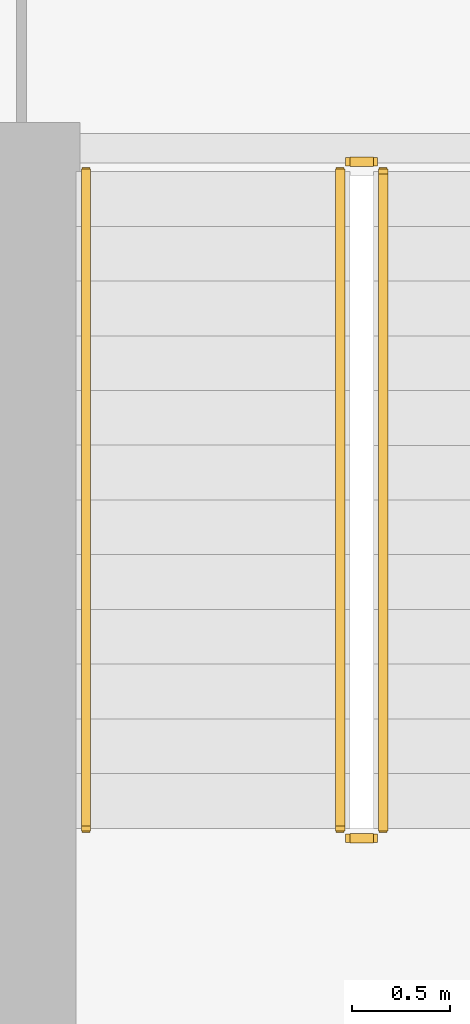
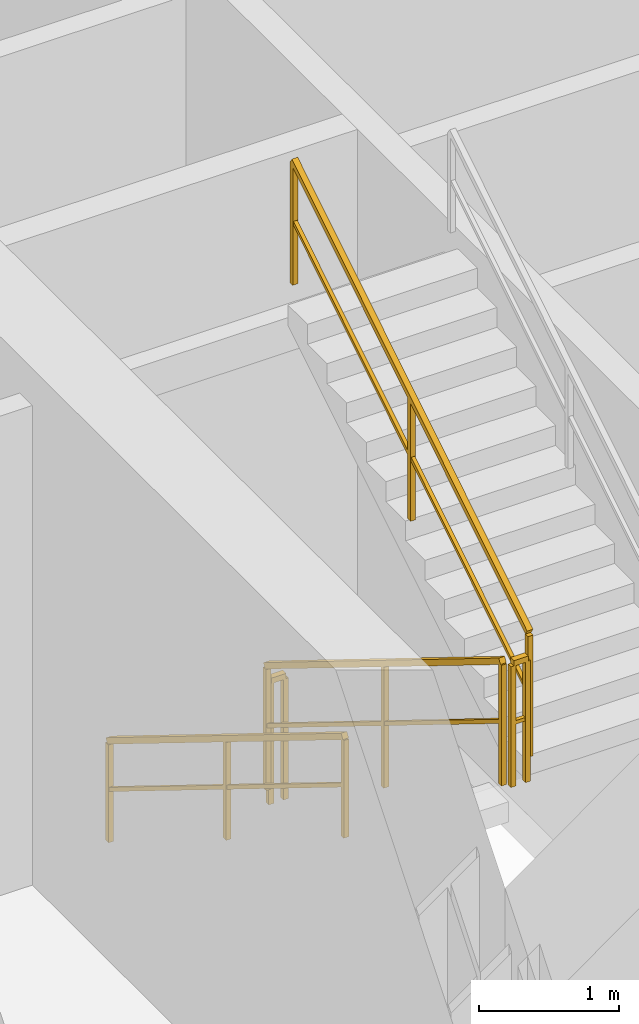
# One storey, part 10 of 13: 5 railings.
"""IFC4 building model written with IfcOpenShell, lengths in metres."""

from ifc_helpers import new_model, si_unit, direction, frame, origin, origin_2d, place, context, subcontext, project, spatial, rectangle, extrude, material, layer, layer_set, type_object, element, save


model = new_model("IFC4")

# Units and contexts
model_context = context("Model", 3, precision=1e-05, world=origin(), true_north=direction((0.0, 1.0)))
body_context = subcontext(model_context, "Body", "Model", "MODEL_VIEW")
ifc_project = project(units=[si_unit("LENGTHUNIT", "METRE"), si_unit("AREAUNIT", "SQUARE_METRE"), si_unit("VOLUMEUNIT", "CUBIC_METRE"), si_unit("PLANEANGLEUNIT", "RADIAN"), si_unit("MASSUNIT", "GRAM", prefix="KILO")], contexts=[model_context])

# Site, building, storey
site_placement = place(None, origin())
site = spatial("IfcSite", under=ifc_project, at=site_placement, CompositionType="ELEMENT")
building_placement = place(site_placement, origin())
building = spatial("IfcBuilding", under=site, at=building_placement, Name="Caelisora Broadcast Tower", CompositionType="ELEMENT")
storey_placement = place(building_placement, frame((0.0, 0.0, 10.199951171875)))
storey = spatial("IfcBuildingStorey", under=building, at=storey_placement, Name="L02", CompositionType="ELEMENT", Elevation=10.199951171875)

# Railings
ifc_material_1 = material(Name="Galvanised Steel Safety Guardrail", Category="steel")
ifc_layer_1 = layer(ifc_material_1, 0.048095703125, Name="Galvanised Steel Safety Guardrail")
ifc_layer_set_1 = layer_set([ifc_layer_1], Name="Galvanised Steel Safety Guardrail")
railing_type_1 = type_object("IfcRailingType", Name="GR-1", PredefinedType="GUARDRAIL", material=ifc_layer_set_1)
railing_1_placement = place(storey_placement, frame((32.169921875, 23.10009765625, 0.173095703125)))
element("IfcRailing", 1, at=railing_1_placement, inside=storey, type_object=railing_type_1, Name="L02 ST-1 stair guard 1", PredefinedType="GUARDRAIL", context=body_context, shape_type="SweptSolid", body=[
    extrude(rectangle(XDim=0.048095703125, YDim=0.048095703125, at=origin_2d()), frame((0.0, 0.0, 1.076171875), z_axis=(0.0, -0.850623216509, 0.525775754039), x_axis=(1.0, 0.0, 0.0)), (0.0, 0.0, 1.0), 3.9501953125),
    extrude(rectangle(XDim=0.03125, YDim=0.03125, at=origin_2d()), frame((0.0, 0.0, 0.550048828125), z_axis=(0.0, -0.850623216509, 0.525775754039), x_axis=(1.0, 0.0, 0.0)), (0.0, 0.0, 1.0), 3.9501953125),
    extrude(rectangle(XDim=0.0419921875, YDim=0.0419921875, at=origin_2d()), origin(), (0.0, 0.0, 1.0), 1.052001953125),
    extrude(rectangle(XDim=0.0419921875, YDim=0.0419921875, at=origin_2d()), frame((0.0, -1.68017578125, 1.03857421875)), (0.0, 0.0, 1.0), 1.052001953125),
    extrude(rectangle(XDim=0.0419921875, YDim=0.0419921875, at=origin_2d()), frame((0.0, -3.360107421875, 2.076904296875)), (0.0, 0.0, 1.0), 1.052001953125),
])
railing_2_placement = place(storey_placement, frame((32.219970703125, 19.68994140625, 2.25)))
element("IfcRailing", 2, at=railing_2_placement, inside=storey, type_object=railing_type_1, Name="L02 ST-1 stair guard 2", PredefinedType="GUARDRAIL", context=body_context, shape_type="SweptSolid", body=[
    extrude(rectangle(XDim=0.048095703125, YDim=0.048095703125, at=origin_2d()), frame((0.0, 0.0, 1.076171875), z_axis=(1.0, 0.0, 0.0), x_axis=(0.0, 1.0, 0.0)), (0.0, 0.0, 1.0), 0.1201171875),
    extrude(rectangle(XDim=0.03125, YDim=0.03125, at=origin_2d()), frame((0.0, 0.0, 0.550048828125), z_axis=(1.0, 0.0, 0.0), x_axis=(0.0, 1.0, 0.0)), (0.0, 0.0, 1.0), 0.1201171875),
    extrude(rectangle(XDim=0.0419921875, YDim=0.0419921875, at=origin_2d()), origin(), (0.0, 0.0, 1.0), 1.052001953125),
    extrude(rectangle(XDim=0.0419921875, YDim=0.0419921875, at=origin_2d()), frame((0.1201171875, 0.0, 0.0)), (0.0, 0.0, 1.0), 1.052001953125),
])
railing_3_placement = place(storey_placement, frame((32.389892578125, 19.739990234375, 2.423095703125)))
element("IfcRailing", 3, at=railing_3_placement, inside=storey, type_object=railing_type_1, Name="L02 ST-1 stair guard 3", PredefinedType="GUARDRAIL", context=body_context, shape_type="SweptSolid", body=[
    extrude(rectangle(XDim=0.048095703125, YDim=0.048095703125, at=origin_2d()), frame((0.0, 0.0, 1.076171875), z_axis=(0.0, 0.850623216509, 0.525775754039), x_axis=(-1.0, 0.0, 0.0)), (0.0, 0.0, 1.0), 3.9501953125),
    extrude(rectangle(XDim=0.03125, YDim=0.03125, at=origin_2d()), frame((0.0, 0.0, 0.550048828125), z_axis=(0.0, 0.850623216509, 0.525775754039), x_axis=(-1.0, 0.0, 0.0)), (0.0, 0.0, 1.0), 3.9501953125),
    extrude(rectangle(XDim=0.0419921875, YDim=0.0419921875, at=origin_2d()), origin(), (0.0, 0.0, 1.0), 1.052001953125),
    extrude(rectangle(XDim=0.0419921875, YDim=0.0419921875, at=origin_2d()), frame((0.0, 1.68017578125, 1.03857421875)), (0.0, 0.0, 1.0), 1.052001953125),
    extrude(rectangle(XDim=0.0419921875, YDim=0.0419921875, at=origin_2d()), frame((0.0, 3.360107421875, 2.076904296875)), (0.0, 0.0, 1.0), 1.052001953125),
])
railing_4_placement = place(storey_placement, frame((32.219970703125, 23.14990234375, 0.0)))
element("IfcRailing", 4, at=railing_4_placement, inside=storey, type_object=railing_type_1, Name="L02 ST-1 stair guard 4", PredefinedType="GUARDRAIL", context=body_context, shape_type="SweptSolid", body=[
    extrude(rectangle(XDim=0.048095703125, YDim=0.048095703125, at=origin_2d()), frame((0.0, 0.0, 1.076171875), z_axis=(1.0, 0.0, 0.0), x_axis=(0.0, 1.0, 0.0)), (0.0, 0.0, 1.0), 0.1201171875),
    extrude(rectangle(XDim=0.03125, YDim=0.03125, at=origin_2d()), frame((0.0, 0.0, 0.550048828125), z_axis=(1.0, 0.0, 0.0), x_axis=(0.0, 1.0, 0.0)), (0.0, 0.0, 1.0), 0.1201171875),
    extrude(rectangle(XDim=0.0419921875, YDim=0.0419921875, at=origin_2d()), origin(), (0.0, 0.0, 1.0), 1.052001953125),
    extrude(rectangle(XDim=0.0419921875, YDim=0.0419921875, at=origin_2d()), frame((0.1201171875, 0.0, 0.0)), (0.0, 0.0, 1.0), 1.052001953125),
])
ifc_material_2 = material(Name="Stainless Steel Grade 316 Tubular Handrail", Category="steel")
ifc_layer_2 = layer(ifc_material_2, 0.048095703125, Name="Stainless Steel Grade 316 Tubular Handrail")
ifc_layer_set_2 = layer_set([ifc_layer_2], Name="Stainless Steel Grade 316 Tubular Handrail")
railing_type_2 = type_object("IfcRailingType", Name="HR-1", PredefinedType="HANDRAIL", material=ifc_layer_set_2)
railing_5_placement = place(storey_placement, frame((30.8701171875, 23.10009765625, 0.173095703125)))
element("IfcRailing", 5, at=railing_5_placement, inside=storey, type_object=railing_type_2, Name="L02 ST-1 stair handrail 1", PredefinedType="HANDRAIL", context=body_context, shape_type="SweptSolid", body=[
    extrude(rectangle(XDim=0.048095703125, YDim=0.048095703125, at=origin_2d()), frame((0.0, 0.0, 0.8759765625), z_axis=(0.0, -0.850623216509, 0.525775754039), x_axis=(1.0, 0.0, 0.0)), (0.0, 0.0, 1.0), 3.9501953125),
    extrude(rectangle(XDim=0.03125, YDim=0.03125, at=origin_2d()), frame((0.0, 0.0, 0.449951171875), z_axis=(0.0, -0.850623216509, 0.525775754039), x_axis=(1.0, 0.0, 0.0)), (0.0, 0.0, 1.0), 3.9501953125),
    extrude(rectangle(XDim=0.0419921875, YDim=0.0419921875, at=origin_2d()), origin(), (0.0, 0.0, 1.0), 0.851806640625),
    extrude(rectangle(XDim=0.0419921875, YDim=0.0419921875, at=origin_2d()), frame((0.0, -1.68017578125, 1.03857421875)), (0.0, 0.0, 1.0), 0.851806640625),
    extrude(rectangle(XDim=0.0419921875, YDim=0.0419921875, at=origin_2d()), frame((0.0, -3.360107421875, 2.076904296875)), (0.0, 0.0, 1.0), 0.851806640625),
])

save(model, "model.ifc")
